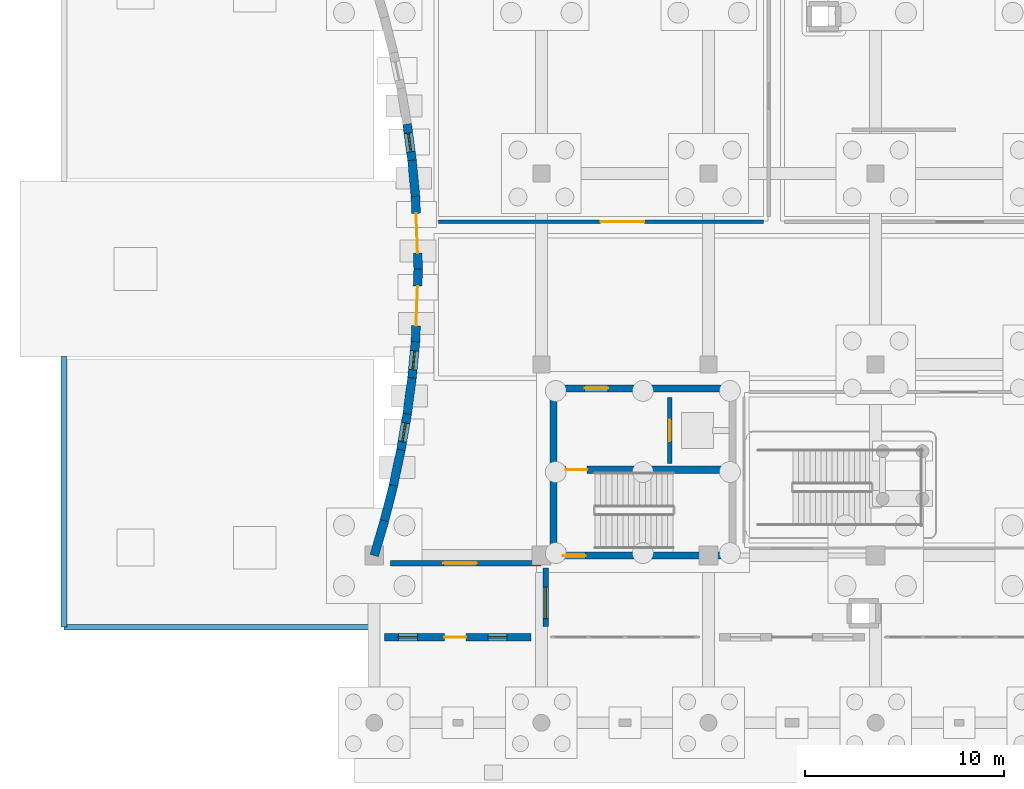
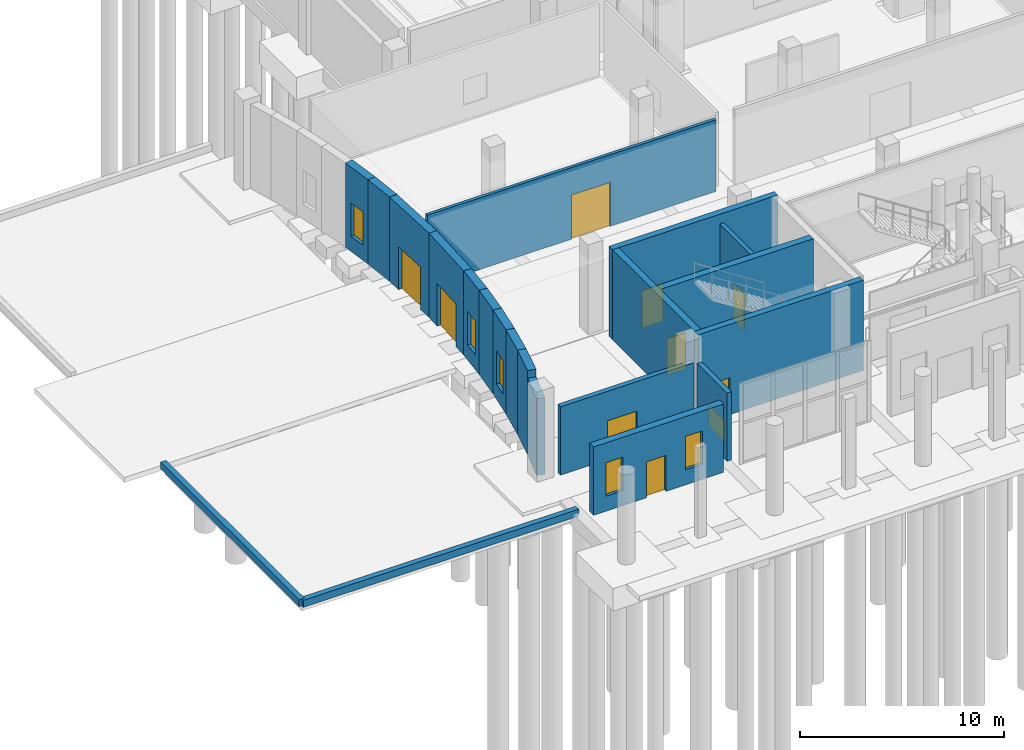
# One storey, part 38 of 65: 21 walls, 9 doors, 6 windows, 15 openings.
"""IFC4 building model written with IfcOpenShell, lengths in metres."""

import ifcopenshell
import ifcopenshell.guid

model = None  # the IFC model being written
_history = None  # IfcOwnerHistory: only IFC2X3 demands one
_inside = {}  # id of a spatial element -> (the spatial element, [elements in it])
_under = {}  # id of a project, library or spatial element -> (it, [spatial elements below it])
_declared = {}  # id of a project -> (the project, [libraries it declares])
_typed = {}  # id of a type object -> (the type object, [elements of that type])
_made_of = {}  # id of a material, layer set ... -> (it, [elements and type objects made of it])


def new_model(schema):
    """Start an empty IFC model of exactly this schema.

    Asked for "IFC4X3", IfcOpenShell would pick the latest addendum, in which some entities
    have other attributes; the version numbers below select the first issue.
    IFC2X3 requires an IfcOwnerHistory on every rooted entity: one is made here for all.
    """
    global model, _history
    if schema == "IFC4X3":
        model = ifcopenshell.file(schema_version=(4, 3, 0, 0))
    else:
        model = ifcopenshell.file(schema=schema)
    _inside.clear()
    _under.clear()
    _declared.clear()
    _typed.clear()
    _made_of.clear()
    _history = None
    if model.schema == "IFC2X3":
        org = make("IfcOrganization", Name="unknown")
        user = make(
            "IfcPersonAndOrganization",
            ThePerson=make("IfcPerson", FamilyName="unknown"),
            TheOrganization=org,
        )
        app = make(
            "IfcApplication",
            ApplicationDeveloper=org,
            Version="unknown",
            ApplicationFullName="unknown",
            ApplicationIdentifier="unknown",
        )
        _history = make(
            "IfcOwnerHistory",
            OwningUser=user,
            OwningApplication=app,
            ChangeAction="ADDED",
            CreationDate=0,
        )
    return model


def make(cls, **values):
    """One entity of the class cls with the attributes given. An attribute that is None is left unset."""
    return model.create_entity(
        cls, **{name: value for name, value in values.items() if value is not None}
    )


def rooted(cls, **values):
    """An entity with a GlobalId (a new one), such as an element, a storey or a relation."""
    return make(cls, GlobalId=ifcopenshell.guid.new(), OwnerHistory=_history, **values)


def si_unit(unit_type, name, prefix=None):
    """IfcSIUnit, for example si_unit("LENGTHUNIT", "METRE", prefix="MILLI")."""
    return make("IfcSIUnit", UnitType=unit_type, Prefix=prefix, Name=name)


def assignment(units):
    """IfcUnitAssignment: the units of a project."""
    return None if units is None else make("IfcUnitAssignment", Units=units)


def point(xyz):
    """IfcCartesianPoint."""
    return None if xyz is None else make("IfcCartesianPoint", Coordinates=xyz)


def direction(xyz):
    """IfcDirection."""
    return None if xyz is None else make("IfcDirection", DirectionRatios=xyz)


def frame(location, z_axis=None, x_axis=None):
    """IfcAxis2Placement3D, a coordinate frame: its origin and axes. An axis left out is left unset."""
    return make(
        "IfcAxis2Placement3D",
        Location=point(location),
        Axis=direction(z_axis),
        RefDirection=direction(x_axis),
    )


def frame_2d(location, x_axis=None):
    """IfcAxis2Placement2D, a coordinate frame in the plane: its origin and x axis."""
    return make(
        "IfcAxis2Placement2D", Location=point(location), RefDirection=direction(x_axis)
    )


def origin():
    """The frame at (0, 0, 0) with its axes left unset."""
    return frame((0.0, 0.0, 0.0))


def place(relative_to, where):
    """IfcLocalPlacement: puts the frame where relative to a parent placement (None: the world)."""
    return make(
        "IfcLocalPlacement", PlacementRelTo=relative_to, RelativePlacement=where
    )


def context(
    kind, dimensions, precision=None, world=None, true_north=None, identifier=None
):
    """IfcGeometricRepresentationContext, for example the 3D "Model" context."""
    return make(
        "IfcGeometricRepresentationContext",
        ContextIdentifier=identifier,
        ContextType=kind,
        CoordinateSpaceDimension=dimensions,
        Precision=precision,
        WorldCoordinateSystem=world,
        TrueNorth=true_north,
    )


def subcontext(parent, identifier, kind, view, scale=None):
    """IfcGeometricRepresentationSubContext, for example "Body" below "Model"."""
    return make(
        "IfcGeometricRepresentationSubContext",
        ContextIdentifier=identifier,
        ContextType=kind,
        ParentContext=parent,
        TargetScale=scale,
        TargetView=view,
    )


def project(units=None, contexts=None):
    """IfcProject with its units and contexts."""
    return rooted(
        "IfcProject",
        Name="project",
        RepresentationContexts=contexts,
        UnitsInContext=assignment(units),
    )


def spatial(cls, under=None, at=None, **own):
    """A site, building, storey or space (cls), placed at a placement, below another one or the project."""
    s = rooted(cls, ObjectPlacement=at, **own)
    if under is not None:
        _under.setdefault(under.id(), (under, []))[1].append(s)
    return s


def profile(cls, at=None, kind="AREA", **sizes):
    """A parametric profile (cls). Its sizes go by their IFC names, for example OverallWidth=200.0."""
    return make(cls, ProfileType=kind, Position=at, **sizes)


def rectangle(**sizes):
    """IfcRectangleProfileDef."""
    return profile("IfcRectangleProfileDef", **sizes)


def extrude(swept, where, along, depth):
    """IfcExtrudedAreaSolid: the profile swept, set in the frame where, extruded along a direction by depth."""
    return make(
        "IfcExtrudedAreaSolid",
        SweptArea=swept,
        Position=where,
        ExtrudedDirection=direction(along),
        Depth=depth,
    )


def shape(context_of_items, identifier, shape_type, items):
    """IfcShapeRepresentation: the items that make up one representation, for example the "Body"."""
    return make(
        "IfcShapeRepresentation",
        ContextOfItems=context_of_items,
        RepresentationIdentifier=identifier,
        RepresentationType=shape_type,
        Items=items,
    )


def material(Name=None, Category=None):
    """IfcMaterial."""
    return make("IfcMaterial", Name=Name, Category=Category)


def layer(
    of_material, thickness, ventilated=None, Name=None, Category=None, Priority=None
):
    """IfcMaterialLayer: one layer of a wall or slab, of a material (None: an air gap)."""
    return make(
        "IfcMaterialLayer",
        Material=of_material,
        LayerThickness=thickness,
        IsVentilated=ventilated,
        Name=Name,
        Category=Category,
        Priority=Priority,
    )


def layer_set(layers, Name=None):
    """IfcMaterialLayerSet."""
    return make("IfcMaterialLayerSet", MaterialLayers=layers, LayerSetName=Name)


def made_of(thing, what):
    """Note that an element or type object is made of a material, layer set ...; save() writes the relation."""
    if what is not None:
        _made_of.setdefault(what.id(), (what, []))[1].append(thing)
    return thing


def type_object(cls, material=None, **own):
    """A type object (cls), such as IfcWallType, which elements share."""
    return made_of(rooted(cls, **own), material)


def element(
    cls,
    number,
    at=None,
    inside=None,
    cuts=None,
    type_object=None,
    material=None,
    context=None,
    identifier="Body",
    shape_type=None,
    held_by="IfcProductDefinitionShape",
    body=None,
    shapes=None,
    **own,
):
    """One element of the class cls, such as IfcWall. Its Tag is "e" and its number.

    at: its placement. inside: the storey or other place that contains it. cuts: it is an
    opening in that element (IfcRelVoidsElement). A single representation is given by context,
    identifier, shape_type and body (its items); several are given by shapes. held_by: the class
    of the entity that holds the representations. save() writes the other relations.
    """
    e = rooted(cls, Tag="e%d" % number, ObjectPlacement=at, **own)
    if body is not None:
        shapes = [shape(context, identifier, shape_type, body)]
    if shapes is not None:
        e.Representation = make(held_by, Representations=shapes)
    if inside is not None:
        _inside.setdefault(inside.id(), (inside, []))[1].append(e)
    if cuts is not None:
        rooted(
            "IfcRelVoidsElement", RelatingBuildingElement=cuts, RelatedOpeningElement=e
        )
    if type_object is not None:
        _typed.setdefault(type_object.id(), (type_object, []))[1].append(e)
    return made_of(e, material)


def fill(opening, filler):
    """IfcRelFillsElement: the door or window that sits in an opening."""
    return rooted(
        "IfcRelFillsElement",
        RelatingOpeningElement=opening,
        RelatedBuildingElement=filler,
    )


def aggregate(whole, parts):
    """IfcRelAggregates: a whole, such as a stair, and the parts it consists of."""
    return rooted("IfcRelAggregates", RelatingObject=whole, RelatedObjects=parts)


def save(model, path):
    """Write the relations noted so far, then the file.

    IfcRelAggregates (storeys below a building ...), IfcRelContainedInSpatialStructure (elements
    in a storey), IfcRelDefinesByType, IfcRelAssociatesMaterial and IfcRelDeclares: one each for
    every whole, place, type object, material and project.
    """
    for whole, parts in _under.values():
        aggregate(whole, parts)
    for where, things in _inside.values():
        rooted(
            "IfcRelContainedInSpatialStructure",
            RelatedElements=things,
            RelatingStructure=where,
        )
    for kind, things in _typed.values():
        rooted("IfcRelDefinesByType", RelatedObjects=things, RelatingType=kind)
    for what, things in _made_of.values():
        rooted("IfcRelAssociatesMaterial", RelatedObjects=things, RelatingMaterial=what)
    for by, libraries in _declared.values():
        rooted("IfcRelDeclares", RelatingContext=by, RelatedDefinitions=libraries)
    model.write(path)


model = new_model("IFC4")

# Units and contexts
model_context = context("Model", 3, precision=1e-05, world=origin(), true_north=direction((0.0, 1.0)))
body_context = subcontext(model_context, "Body", "Model", "MODEL_VIEW")
ifc_project = project(units=[si_unit("LENGTHUNIT", "METRE"), si_unit("AREAUNIT", "SQUARE_METRE"), si_unit("VOLUMEUNIT", "CUBIC_METRE"), si_unit("PLANEANGLEUNIT", "RADIAN"), si_unit("MASSUNIT", "GRAM", prefix="KILO")], contexts=[model_context])

# Site, building, storey
site_placement = place(None, origin())
site = spatial("IfcSite", under=ifc_project, at=site_placement, CompositionType="ELEMENT")
building_placement = place(site_placement, origin())
building = spatial("IfcBuilding", under=site, at=building_placement, Name="Zulmaris Art Gallery", CompositionType="ELEMENT")
storey_placement = place(building_placement, origin())
storey = spatial("IfcBuildingStorey", under=building, at=storey_placement, Name="L00", CompositionType="ELEMENT", Elevation=0.0)

# Walls
ifc_material_1 = material(Name="Omani Cream Limestone Ashlar Masonry", Category="masonry")
ifc_layer_1 = layer(ifc_material_1, 0.43994140625)
ifc_layer_set_1 = layer_set([ifc_layer_1], Name="Omani Cream Limestone Ashlar Masonry")
wall_type_1 = type_object("IfcWallType", Name="ENV-WALL-EW01", PredefinedType="SOLIDWALL", material=ifc_layer_set_1)
wall_1_placement = place(storey_placement, frame((24.0, 21.60009765625, 0.0), z_axis=(0.0, 0.0, 1.0), x_axis=(0.281804764954, 0.959471768448, 0.0)))
element("IfcWall", 1, at=wall_1_placement, inside=storey, type_object=wall_type_1, Name="L00 Concave Scooped Limestone Chord 1", PredefinedType="SOLIDWALL", context=body_context, shape_type="SweptSolid", body=[
    extrude(rectangle(XDim=1.827880859375, YDim=0.43994140625, at=frame_2d((0.9140625, 0.0))), origin(), (0.0, 0.0, 1.0), 4.590087890625),
])
wall_2_placement = place(storey_placement, frame((24.51513671875, 23.35400390625, 0.0), z_axis=(0.0, 0.0, 1.0), x_axis=(0.245080262371, 0.969502792671, 0.0)))
element("IfcWall", 2, at=wall_2_placement, inside=storey, type_object=wall_type_1, Name="L00 Concave Scooped Limestone Chord 2", PredefinedType="SOLIDWALL", context=body_context, shape_type="SweptSolid", body=[
    extrude(rectangle(XDim=1.827880859375, YDim=0.43994140625, at=frame_2d((0.9140625, 0.0))), origin(), (0.0, 0.0, 1.0), 5.0400390625),
])
wall_3_placement = place(storey_placement, frame((24.963134765625, 25.126220703125, 0.0), z_axis=(0.0, 0.0, 1.0), x_axis=(0.207941813813, 0.978141197409, 0.0)))
element("IfcWall", 3, at=wall_3_placement, inside=storey, type_object=wall_type_1, Name="L00 Concave Scooped Limestone Chord 3", PredefinedType="SOLIDWALL", context=body_context, shape_type="SweptSolid", body=[
    extrude(rectangle(XDim=1.828125, YDim=0.43994140625, at=frame_2d((0.9140625, 0.0))), origin(), (0.0, 0.0, 1.0), 5.0400390625),
])

# Wall, opening, window
wall_4_placement = place(storey_placement, frame((25.34326171875, 26.914306640625, 0.0), z_axis=(0.0, 0.0, 1.0), x_axis=(0.170546420939, 0.985349642667, 0.0)))
wall_4 = element("IfcWall", 4, at=wall_4_placement, inside=storey, type_object=wall_type_1, Name="L00 Concave Scooped Limestone Chord 4", PredefinedType="SOLIDWALL", context=body_context, shape_type="SweptSolid", body=[
    extrude(rectangle(XDim=1.828125, YDim=0.43994140625, at=frame_2d((0.9140625, 0.0))), origin(), (0.0, 0.0, 1.0), 5.0400390625),
])
opening_1_placement = place(wall_4_placement, frame((0.419921875, 0.0, 0.89990234375)))
opening_1 = element("IfcOpeningElement", 5, at=opening_1_placement, cuts=wall_4, Name="Opening W06", PredefinedType="OPENING", context=body_context, shape_type="SweptSolid", body=[
    extrude(rectangle(XDim=0.949951171875, YDim=2.0, at=frame_2d((0.47509765625, 1.0))), frame((0.0, 0.22998046875, 0.0), z_axis=(0.0, -1.0, 0.0), x_axis=(1.0, 0.0, 0.0)), (0.0, 0.0, 1.0), 0.4599609375),
])
ifc_material_2 = material(Name="Art Deco Stepped-Head Pier Window", Category="glass")
window_type_1 = type_object("IfcWindowType", Name="WIN-W06", PartitioningType="SINGLE_PANEL", PredefinedType="WINDOW", material=ifc_material_2)
window_1_placement = place(opening_1_placement, origin())
window_1 = element("IfcWindow", 6, at=window_1_placement, inside=storey, type_object=window_type_1, Name="L00 exterior window W06", OverallHeight=2.0, OverallWidth=0.949951171875, PartitioningType="SINGLE_PANEL", PredefinedType="WINDOW", context=body_context, shape_type="SweptSolid", body=[
    extrude(rectangle(XDim=0.949951171875, YDim=2.0, at=frame_2d((0.47509765625, 1.0))), frame((0.0, 0.030029296875, 0.0), z_axis=(0.0, -1.0, 0.0), x_axis=(1.0, 0.0, 0.0)), (0.0, 0.0, 1.0), 0.06005859375),
])
fill(opening_1, window_1)

# Wall
wall_5_placement = place(storey_placement, frame((25.655029296875, 28.715576171875, 0.0), z_axis=(0.0, 0.0, 1.0), x_axis=(0.132872205914, 0.991133178183, 0.0)))
element("IfcWall", 7, at=wall_5_placement, inside=storey, type_object=wall_type_1, Name="L00 Concave Scooped Limestone Chord 5", PredefinedType="SOLIDWALL", context=body_context, shape_type="SweptSolid", body=[
    extrude(rectangle(XDim=1.828125, YDim=0.43994140625, at=frame_2d((0.9140625, 0.0))), origin(), (0.0, 0.0, 1.0), 5.0400390625),
])

# Wall, opening, window
wall_6_placement = place(storey_placement, frame((25.89794921875, 30.527587890625, 0.0), z_axis=(0.0, 0.0, 1.0), x_axis=(0.095099032001, 0.995467816714, 0.0)))
wall_6 = element("IfcWall", 8, at=wall_6_placement, inside=storey, type_object=wall_type_1, Name="L00 Concave Scooped Limestone Chord 6", PredefinedType="SOLIDWALL", context=body_context, shape_type="SweptSolid", body=[
    extrude(rectangle(XDim=1.827880859375, YDim=0.43994140625, at=frame_2d((0.9140625, 0.0))), origin(), (0.0, 0.0, 1.0), 5.0400390625),
])
opening_2_placement = place(wall_6_placement, frame((0.419921875, 0.0, 0.89990234375)))
opening_2 = element("IfcOpeningElement", 9, at=opening_2_placement, cuts=wall_6, Name="Opening W06", PredefinedType="OPENING", context=body_context, shape_type="SweptSolid", body=[
    extrude(rectangle(XDim=0.949951171875, YDim=2.0, at=frame_2d((0.47509765625, 1.0))), frame((0.0, 0.22998046875, 0.0), z_axis=(0.0, -1.0, 0.0), x_axis=(1.0, 0.0, 0.0)), (0.0, 0.0, 1.0), 0.4599609375),
])
window_2_placement = place(opening_2_placement, origin())
window_2 = element("IfcWindow", 10, at=window_2_placement, inside=storey, type_object=window_type_1, Name="L00 exterior window W06", OverallHeight=2.0, OverallWidth=0.949951171875, PartitioningType="SINGLE_PANEL", PredefinedType="WINDOW", context=body_context, shape_type="SweptSolid", body=[
    extrude(rectangle(XDim=0.949951171875, YDim=2.0, at=frame_2d((0.47509765625, 1.0))), frame((0.0, 0.030029296875, 0.0), z_axis=(0.0, -1.0, 0.0), x_axis=(1.0, 0.0, 0.0)), (0.0, 0.0, 1.0), 0.06005859375),
])
fill(opening_2, window_2)

# Wall, opening, door
wall_7_placement = place(storey_placement, frame((26.07177734375, 32.34716796875, 0.0), z_axis=(0.0, 0.0, 1.0), x_axis=(0.038068895643, 0.999275116864, 0.0)))
wall_7 = element("IfcWall", 11, at=wall_7_placement, inside=storey, type_object=wall_type_1, Name="L00 Scooped Limestone Entrance Portal S", PredefinedType="SOLIDWALL", context=body_context, shape_type="SweptSolid", body=[
    extrude(rectangle(XDim=3.655517578125, YDim=0.43994140625, at=frame_2d((1.82763671875, 0.0))), origin(), (0.0, 0.0, 1.0), 5.0400390625),
])
opening_3_placement = place(wall_7_placement, frame((0.800048828125, 0.0, 0.0)))
opening_3 = element("IfcOpeningElement", 12, at=opening_3_placement, cuts=wall_7, Name="Opening ED01", PredefinedType="OPENING", context=body_context, shape_type="SweptSolid", body=[
    extrude(rectangle(XDim=2.0, YDim=2.550048828125, at=frame_2d((1.0, 1.27490234375))), frame((0.0, 0.22998046875, 0.0), z_axis=(0.0, -1.0, 0.0), x_axis=(1.0, 0.0, 0.0)), (0.0, 0.0, 1.0), 0.4599609375),
])
ifc_material_3 = material(Name="Bronze-Framed Glazed Main Entrance Door", Category="glass")
door_type_1 = type_object("IfcDoorType", Name="EDOOR-ED01", OperationType="DOUBLE_SWING_LEFT", PredefinedType="DOOR", material=ifc_material_3)
door_1_placement = place(opening_3_placement, origin())
door_1 = element("IfcDoor", 13, at=door_1_placement, inside=storey, type_object=door_type_1, Name="Main Gallery West Portal Door 1", OperationType="DOUBLE_SWING_LEFT", OverallHeight=2.550048828125, OverallWidth=2.0, PredefinedType="DOOR", context=body_context, shape_type="SweptSolid", body=[
    extrude(rectangle(XDim=2.0, YDim=2.550048828125, at=frame_2d((1.0, 1.27490234375))), frame((0.0, 0.02490234375, 0.0), z_axis=(0.0, -1.0, 0.0), x_axis=(1.0, 0.0, 0.0)), (0.0, 0.0, 1.0), 0.050048828125),
])
fill(opening_3, door_1)

wall_8_placement = place(storey_placement, frame((26.2109375, 36.0, 0.0), z_axis=(0.0, 0.0, 1.0), x_axis=(-0.038068895643, 0.999275116864, 0.0)))
wall_8 = element("IfcWall", 14, at=wall_8_placement, inside=storey, type_object=wall_type_1, Name="L00 Scooped Limestone Entrance Portal N", PredefinedType="SOLIDWALL", context=body_context, shape_type="SweptSolid", body=[
    extrude(rectangle(XDim=3.655517578125, YDim=0.43994140625, at=frame_2d((1.82763671875, 0.0))), origin(), (0.0, 0.0, 1.0), 5.0400390625),
])
opening_4_placement = place(wall_8_placement, frame((0.800048828125, 0.0, 0.0)))
opening_4 = element("IfcOpeningElement", 15, at=opening_4_placement, cuts=wall_8, Name="Opening ED01", PredefinedType="OPENING", context=body_context, shape_type="SweptSolid", body=[
    extrude(rectangle(XDim=2.0, YDim=2.550048828125, at=frame_2d((1.0, 1.27490234375))), frame((0.0, 0.22998046875, 0.0), z_axis=(0.0, -1.0, 0.0), x_axis=(1.0, 0.0, 0.0)), (0.0, 0.0, 1.0), 0.4599609375),
])
door_2_placement = place(opening_4_placement, origin())
door_2 = element("IfcDoor", 16, at=door_2_placement, inside=storey, type_object=door_type_1, Name="Main Gallery West Portal Door 2", OperationType="DOUBLE_SWING_LEFT", OverallHeight=2.550048828125, OverallWidth=2.0, PredefinedType="DOOR", context=body_context, shape_type="SweptSolid", body=[
    extrude(rectangle(XDim=2.0, YDim=2.550048828125, at=frame_2d((1.0, 1.27490234375))), frame((0.0, 0.02490234375, 0.0), z_axis=(0.0, -1.0, 0.0), x_axis=(1.0, 0.0, 0.0)), (0.0, 0.0, 1.0), 0.050048828125),
])
fill(opening_4, door_2)

# Wall
wall_9_placement = place(storey_placement, frame((26.07177734375, 39.65283203125, 0.0), z_axis=(0.0, 0.0, 1.0), x_axis=(-0.095099032001, 0.995467816714, 0.0)))
element("IfcWall", 17, at=wall_9_placement, inside=storey, type_object=wall_type_1, Name="L00 Concave Scooped Limestone Chord 11", PredefinedType="SOLIDWALL", context=body_context, shape_type="SweptSolid", body=[
    extrude(rectangle(XDim=1.827880859375, YDim=0.43994140625, at=frame_2d((0.9140625, 0.0))), origin(), (0.0, 0.0, 1.0), 5.0400390625),
])

# Wall, opening, window
wall_10_placement = place(storey_placement, frame((25.89794921875, 41.472412109375, 0.0), z_axis=(0.0, 0.0, 1.0), x_axis=(-0.132872205914, 0.991133178183, 0.0)))
wall_10 = element("IfcWall", 18, at=wall_10_placement, inside=storey, type_object=wall_type_1, Name="L00 Concave Scooped Limestone Chord 12", PredefinedType="SOLIDWALL", context=body_context, shape_type="SweptSolid", body=[
    extrude(rectangle(XDim=1.828125, YDim=0.43994140625, at=frame_2d((0.9140625, 0.0))), origin(), (0.0, 0.0, 1.0), 5.0400390625),
])
opening_5_placement = place(wall_10_placement, frame((0.419921875, 0.0, 0.89990234375)))
opening_5 = element("IfcOpeningElement", 19, at=opening_5_placement, cuts=wall_10, Name="Opening W06", PredefinedType="OPENING", context=body_context, shape_type="SweptSolid", body=[
    extrude(rectangle(XDim=0.949951171875, YDim=2.0, at=frame_2d((0.47509765625, 1.0))), frame((0.0, 0.22998046875, 0.0), z_axis=(0.0, -1.0, 0.0), x_axis=(1.0, 0.0, 0.0)), (0.0, 0.0, 1.0), 0.4599609375),
])
window_3_placement = place(opening_5_placement, origin())
window_3 = element("IfcWindow", 20, at=window_3_placement, inside=storey, type_object=window_type_1, Name="L00 exterior window W06", OverallHeight=2.0, OverallWidth=0.949951171875, PartitioningType="SINGLE_PANEL", PredefinedType="WINDOW", context=body_context, shape_type="SweptSolid", body=[
    extrude(rectangle(XDim=0.949951171875, YDim=2.0, at=frame_2d((0.47509765625, 1.0))), frame((0.0, 0.030029296875, 0.0), z_axis=(0.0, -1.0, 0.0), x_axis=(1.0, 0.0, 0.0)), (0.0, 0.0, 1.0), 0.06005859375),
])
fill(opening_5, window_3)

# Wall, openings, door, windows
ifc_material_4 = material(Name="Omani Desert Rose Limestone Cladding Wall", Category="masonry")
ifc_layer_2 = layer(ifc_material_4, 0.389892578125)
ifc_layer_set_2 = layer_set([ifc_layer_2], Name="Omani Desert Rose Limestone Cladding Wall")
wall_type_2 = type_object("IfcWallType", Name="ENV-WALL-EW02", PredefinedType="SOLIDWALL", material=ifc_layer_set_2)
wall_11_placement = place(storey_placement, frame((24.52001953125, 17.5, 0.0), z_axis=(0.0, 0.0, 1.0), x_axis=(1.0, 0.0, 0.0)))
wall_11 = element("IfcWall", 21, at=wall_11_placement, inside=storey, type_object=wall_type_2, Name="L00 Fire Command Room Street Wall", PredefinedType="SOLIDWALL", context=body_context, shape_type="SweptSolid", body=[
    extrude(rectangle(XDim=7.35986328125, YDim=0.389892578125, at=frame_2d((3.679931640625, 0.0))), origin(), (0.0, 0.0, 1.0), 4.090087890625),
])
opening_6_placement = place(wall_11_placement, frame((0.699951171875, 0.0, 0.89990234375)))
opening_6 = element("IfcOpeningElement", 22, at=opening_6_placement, cuts=wall_11, Name="Opening W06", PredefinedType="OPENING", context=body_context, shape_type="SweptSolid", body=[
    extrude(rectangle(XDim=0.949951171875, YDim=2.0, at=frame_2d((0.47509765625, 1.0))), frame((0.0, 0.204833984375, 0.0), z_axis=(0.0, -1.0, 0.0), x_axis=(1.0, 0.0, 0.0)), (0.0, 0.0, 1.0), 0.409912109375),
])
opening_7_placement = place(wall_11_placement, frame((5.199951171875, 0.0, 0.89990234375)))
opening_7 = element("IfcOpeningElement", 23, at=opening_7_placement, cuts=wall_11, Name="Opening W06", PredefinedType="OPENING", context=body_context, shape_type="SweptSolid", body=[
    extrude(rectangle(XDim=0.949951171875, YDim=2.0, at=frame_2d((0.47509765625, 1.0))), frame((0.0, 0.204833984375, 0.0), z_axis=(0.0, -1.0, 0.0), x_axis=(1.0, 0.0, 0.0)), (0.0, 0.0, 1.0), 0.409912109375),
])
opening_8_placement = place(wall_11_placement, frame((3.0, 0.0, 0.0)))
opening_8 = element("IfcOpeningElement", 24, at=opening_8_placement, cuts=wall_11, Name="Opening ED03", PredefinedType="OPENING", context=body_context, shape_type="SweptSolid", body=[
    extrude(rectangle(XDim=1.10009765625, YDim=2.14990234375, at=frame_2d((0.550048828125, 1.074951171875))), frame((0.0, 0.204833984375, 0.0), z_axis=(0.0, -1.0, 0.0), x_axis=(1.0, 0.0, 0.0)), (0.0, 0.0, 1.0), 0.409912109375),
])
ifc_material_5 = material(Name="Exterior Service & Fire Command Door", Category="steel")
door_type_2 = type_object("IfcDoorType", Name="EDOOR-ED03", OperationType="SINGLE_SWING_LEFT", PredefinedType="DOOR", material=ifc_material_5)
door_3_placement = place(opening_8_placement, origin())
door_3 = element("IfcDoor", 25, at=door_3_placement, inside=storey, type_object=door_type_2, Name="Fire Command Room Direct Street Access Door", OperationType="SINGLE_SWING_LEFT", OverallHeight=2.14990234375, OverallWidth=1.10009765625, PredefinedType="DOOR", context=body_context, shape_type="SweptSolid", body=[
    extrude(rectangle(XDim=1.10009765625, YDim=2.14990234375, at=frame_2d((0.550048828125, 1.074951171875))), frame((0.0, 0.02490234375, 0.0), z_axis=(0.0, -1.0, 0.0), x_axis=(1.0, 0.0, 0.0)), (0.0, 0.0, 1.0), 0.050048828125),
])
fill(opening_8, door_3)
window_4_placement = place(opening_6_placement, origin())
window_4 = element("IfcWindow", 26, at=window_4_placement, inside=storey, type_object=window_type_1, Name="L00 exterior window W06", OverallHeight=2.0, OverallWidth=0.949951171875, PartitioningType="SINGLE_PANEL", PredefinedType="WINDOW", context=body_context, shape_type="SweptSolid", body=[
    extrude(rectangle(XDim=0.949951171875, YDim=2.0, at=frame_2d((0.47509765625, 1.0))), frame((0.0, 0.030029296875, 0.0), z_axis=(0.0, -1.0, 0.0), x_axis=(1.0, 0.0, 0.0)), (0.0, 0.0, 1.0), 0.06005859375),
])
fill(opening_6, window_4)
window_5_placement = place(opening_7_placement, origin())
window_5 = element("IfcWindow", 27, at=window_5_placement, inside=storey, type_object=window_type_1, Name="L00 exterior window W06", OverallHeight=2.0, OverallWidth=0.949951171875, PartitioningType="SINGLE_PANEL", PredefinedType="WINDOW", context=body_context, shape_type="SweptSolid", body=[
    extrude(rectangle(XDim=0.949951171875, YDim=2.0, at=frame_2d((0.47509765625, 1.0))), frame((0.0, 0.030029296875, 0.0), z_axis=(0.0, -1.0, 0.0), x_axis=(1.0, 0.0, 0.0)), (0.0, 0.0, 1.0), 0.06005859375),
])
fill(opening_7, window_5)

# Walls
ifc_material_6 = material(Name="Omani Limestone Pool Kerb", Category="masonry")
ifc_layer_3 = layer(ifc_material_6, 0.300048828125)
ifc_layer_set_3 = layer_set([ifc_layer_3], Name="Omani Limestone Pool Kerb")
wall_type_3 = type_object("IfcWallType", Name="ENV-WALL-PK01", PredefinedType="PARAPET", material=ifc_layer_set_3)
wall_12_placement = place(storey_placement, frame((8.39990234375, 18.0, -0.199951171875), z_axis=(0.0, 0.0, 1.0), x_axis=(1.0, 0.0, 0.0)))
element("IfcWall", 28, at=wall_12_placement, inside=storey, type_object=wall_type_3, Name="Reflecting pool limestone kerb 1", PredefinedType="PARAPET", context=body_context, shape_type="SweptSolid", body=[
    extrude(rectangle(XDim=15.60009765625, YDim=0.300048828125, at=frame_2d((7.800048828125, 0.0))), origin(), (0.0, 0.0, 1.0), 0.419921875),
])
wall_13_placement = place(storey_placement, frame((8.39990234375, 18.0, -0.199951171875), z_axis=(0.0, 0.0, 1.0), x_axis=(0.0, 1.0, 0.0)))
element("IfcWall", 29, at=wall_13_placement, inside=storey, type_object=wall_type_3, Name="Reflecting pool limestone kerb 2", PredefinedType="PARAPET", context=body_context, shape_type="SweptSolid", body=[
    extrude(rectangle(XDim=13.60009765625, YDim=0.300048828125, at=frame_2d((6.800048828125, 0.0))), origin(), (0.0, 0.0, 1.0), 0.419921875),
])

# Wall, opening, door
ifc_material_7 = material(Name="Acoustic Studio Separation Partition", Category="gypsum")
ifc_layer_4 = layer(ifc_material_7, 0.175048828125)
ifc_layer_set_4 = layer_set([ifc_layer_4], Name="Acoustic Studio Separation Partition")
wall_type_4 = type_object("IfcWallType", Name="IWALL-PW06", PredefinedType="PARTITIONING", material=ifc_layer_set_4)
wall_14_placement = place(storey_placement, frame((27.22998046875, 38.3798828125, 0.0), z_axis=(0.0, 0.0, 1.0), x_axis=(1.0, 0.0, 0.0)))
wall_14 = element("IfcWall", 30, at=wall_14_placement, inside=storey, type_object=wall_type_4, Name="Cloakroom & Visitor Orientation S partition", PredefinedType="PARTITIONING", context=body_context, shape_type="SweptSolid", body=[
    extrude(rectangle(XDim=16.340087890625, YDim=0.175048828125, at=frame_2d((8.169921875, 0.0))), origin(), (0.0, 0.0, 1.0), 4.2900390625),
])
opening_9_placement = place(wall_14_placement, frame((8.14990234375, 0.0, 0.0)))
opening_9 = element("IfcOpeningElement", 31, at=opening_9_placement, cuts=wall_14, Name="Opening D19", PredefinedType="OPENING", context=body_context, shape_type="SweptSolid", body=[
    extrude(rectangle(XDim=2.199951171875, YDim=2.639892578125, at=frame_2d((1.10009765625, 1.31982421875))), frame((0.0, 0.097412109375, 0.0), z_axis=(0.0, -1.0, 0.0), x_axis=(1.0, 0.0, 0.0)), (0.0, 0.0, 1.0), 0.195068359375),
])
ifc_material_8 = material(Name="Crate Unpacking Double Portal Door", Category="steel")
door_type_3 = type_object("IfcDoorType", Name="IDOOR-D19", OperationType="DOUBLE_SWING_LEFT", PredefinedType="DOOR", material=ifc_material_8)
door_4_placement = place(opening_9_placement, origin())
door_4 = element("IfcDoor", 32, at=door_4_placement, inside=storey, type_object=door_type_3, Name="Cloakroom & Visitor Orientation Door", OperationType="DOUBLE_SWING_LEFT", OverallHeight=2.639892578125, OverallWidth=2.199951171875, PredefinedType="DOOR", context=body_context, shape_type="SweptSolid", body=[
    extrude(rectangle(XDim=2.199951171875, YDim=2.639892578125, at=frame_2d((1.10009765625, 1.31982421875))), frame((0.0, 0.02490234375, 0.0), z_axis=(0.0, -1.0, 0.0), x_axis=(1.0, 0.0, 0.0)), (0.0, 0.0, 1.0), 0.050048828125),
])
fill(opening_9, door_4)

ifc_material_9 = material(Name="Core Lobby Fire-Resisting Masonry Wall", Category="masonry")
ifc_layer_5 = layer(ifc_material_9, 0.235107421875)
ifc_layer_set_5 = layer_set([ifc_layer_5], Name="Core Lobby Fire-Resisting Masonry Wall")
wall_type_5 = type_object("IfcWallType", Name="IWALL-PW10", PredefinedType="PARTITIONING", material=ifc_layer_set_5)
wall_15_placement = place(storey_placement, frame((38.85009765625, 26.219970703125, 0.0), z_axis=(0.0, 0.0, 1.0), x_axis=(0.0, 1.0, 0.0)))
wall_15 = element("IfcWall", 33, at=wall_15_placement, inside=storey, type_object=wall_type_5, Name="LF-P1 L00 lift shaft front wall", PredefinedType="PARTITIONING", context=body_context, shape_type="SweptSolid", body=[
    extrude(rectangle(XDim=3.330078125, YDim=0.235107421875, at=frame_2d((1.6650390625, 0.0))), origin(), (0.0, 0.0, 1.0), 5.0400390625),
])
opening_10_placement = place(wall_15_placement, frame((1.114990234375, 0.0, 0.0)))
opening_10 = element("IfcOpeningElement", 34, at=opening_10_placement, cuts=wall_15, Name="Opening LD01", PredefinedType="OPENING", context=body_context, shape_type="SweptSolid", body=[
    extrude(rectangle(XDim=1.10009765625, YDim=2.199951171875, at=frame_2d((0.550048828125, 1.10009765625))), frame((0.0, 0.12744140625, 0.0), z_axis=(0.0, -1.0, 0.0), x_axis=(1.0, 0.0, 0.0)), (0.0, 0.0, 1.0), 0.255126953125),
])
ifc_material_10 = material(Name="Passenger Lift Sliding Landing Door", Category="steel")
door_type_4 = type_object("IfcDoorType", Name="IDOOR-LD01", OperationType="SLIDING_TO_LEFT", PredefinedType="DOOR", material=ifc_material_10)
door_5_placement = place(opening_10_placement, origin())
door_5 = element("IfcDoor", 35, at=door_5_placement, inside=storey, type_object=door_type_4, Name="LF-P1 L00 Lift Landing Sliding Door", OperationType="SLIDING_TO_LEFT", OverallHeight=2.199951171875, OverallWidth=1.10009765625, PredefinedType="DOOR", context=body_context, shape_type="SweptSolid", body=[
    extrude(rectangle(XDim=1.10009765625, YDim=2.199951171875, at=frame_2d((0.550048828125, 1.10009765625))), frame((0.0, 0.02490234375, 0.0), z_axis=(0.0, -1.0, 0.0), x_axis=(1.0, 0.0, 0.0)), (0.0, 0.0, 1.0), 0.050048828125),
])
fill(opening_10, door_5)

ifc_material_11 = material(Name="Plant & Substation Acoustic Blockwork Wall", Category="masonry")
ifc_layer_6 = layer(ifc_material_11, 0.27001953125)
ifc_layer_set_6 = layer_set([ifc_layer_6], Name="Plant & Substation Acoustic Blockwork Wall")
wall_type_6 = type_object("IfcWallType", Name="IWALL-PW12", PredefinedType="PARTITIONING", material=ifc_layer_set_6)
wall_16_placement = place(storey_placement, frame((24.830078125, 21.219970703125, 0.0), z_axis=(0.0, 0.0, 1.0), x_axis=(1.0, 0.0, 0.0)))
wall_16 = element("IfcWall", 36, at=wall_16_placement, inside=storey, type_object=wall_type_6, Name="Fire Command Room N partition", PredefinedType="PARTITIONING", context=body_context, shape_type="SweptSolid", body=[
    extrude(rectangle(XDim=7.5400390625, YDim=0.27001953125, at=frame_2d((3.77001953125, 0.0))), origin(), (0.0, 0.0, 1.0), 4.090087890625),
])
opening_11_placement = place(wall_16_placement, frame((2.64990234375, 0.0, 0.0)))
opening_11 = element("IfcOpeningElement", 37, at=opening_11_placement, cuts=wall_16, Name="Opening D14", PredefinedType="OPENING", context=body_context, shape_type="SweptSolid", body=[
    extrude(rectangle(XDim=1.679931640625, YDim=2.320068359375, at=frame_2d((0.83984375, 1.16015625))), frame((0.0, 0.14501953125, 0.0), z_axis=(0.0, -1.0, 0.0), x_axis=(1.0, 0.0, 0.0)), (0.0, 0.0, 1.0), 0.2900390625),
])
ifc_material_12 = material(Name="Plant Room Double Access Door", Category="steel")
door_type_5 = type_object("IfcDoorType", Name="IDOOR-D14", OperationType="DOUBLE_SWING_RIGHT", PredefinedType="DOOR", material=ifc_material_12)
door_6_placement = place(opening_11_placement, origin())
door_6 = element("IfcDoor", 38, at=door_6_placement, inside=storey, type_object=door_type_5, Name="Fire Command Room Door", OperationType="DOUBLE_SWING_RIGHT", OverallHeight=2.320068359375, OverallWidth=1.679931640625, PredefinedType="DOOR", context=body_context, shape_type="SweptSolid", body=[
    extrude(rectangle(XDim=1.679931640625, YDim=2.320068359375, at=frame_2d((0.83984375, 1.16015625))), frame((0.0, 0.02490234375, 0.0), z_axis=(0.0, -1.0, 0.0), x_axis=(1.0, 0.0, 0.0)), (0.0, 0.0, 1.0), 0.050048828125),
])
fill(opening_11, door_6)

# Wall, opening, window
wall_17_placement = place(storey_placement, frame((32.6201171875, 18.030029296875, 0.0), z_axis=(0.0, 0.0, 1.0), x_axis=(0.0, 1.0, 0.0)))
wall_17 = element("IfcWall", 39, at=wall_17_placement, inside=storey, type_object=wall_type_6, Name="Fire Command Room E partition", PredefinedType="PARTITIONING", context=body_context, shape_type="SweptSolid", body=[
    extrude(rectangle(XDim=2.93994140625, YDim=0.27001953125, at=frame_2d((1.469970703125, 0.0))), origin(), (0.0, 0.0, 1.0), 4.090087890625),
])
opening_12_placement = place(wall_17_placement, frame((0.39990234375, 0.0, 0.89990234375)))
opening_12 = element("IfcOpeningElement", 40, at=opening_12_placement, cuts=wall_17, Name="Opening IW09", PredefinedType="OPENING", context=body_context, shape_type="SweptSolid", body=[
    extrude(rectangle(XDim=1.580078125, YDim=1.239990234375, at=frame_2d((0.7900390625, 0.6201171875))), frame((0.0, 0.14501953125, 0.0), z_axis=(0.0, -1.0, 0.0), x_axis=(1.0, 0.0, 0.0)), (0.0, 0.0, 1.0), 0.2900390625),
])
ifc_material_13 = material(Name="Registrar Inspection Glazing", Category="glass")
window_type_2 = type_object("IfcWindowType", Name="IWIN-IW09", PartitioningType="SINGLE_PANEL", PredefinedType="WINDOW", material=ifc_material_13)
window_6_placement = place(opening_12_placement, origin())
window_6 = element("IfcWindow", 41, at=window_6_placement, inside=storey, type_object=window_type_2, Name="L00 interior observation window IW09", OverallHeight=1.239990234375, OverallWidth=1.580078125, PartitioningType="SINGLE_PANEL", PredefinedType="WINDOW", context=body_context, shape_type="SweptSolid", body=[
    extrude(rectangle(XDim=1.580078125, YDim=1.239990234375, at=frame_2d((0.7900390625, 0.6201171875))), frame((0.0, 0.030029296875, 0.0), z_axis=(0.0, -1.0, 0.0), x_axis=(1.0, 0.0, 0.0)), (0.0, 0.0, 1.0), 0.06005859375),
])
fill(opening_12, window_6)

# Wall, opening, door
ifc_material_14 = material(Name="Concrete C50/60", Category="concrete")
ifc_layer_7 = layer(ifc_material_14, 0.35009765625)
ifc_layer_set_7 = layer_set([ifc_layer_7], Name="Concrete C50/60")
wall_type_7 = type_object("IfcWallType", Name="STR-WALL-SW01", PredefinedType="SHEAR", material=ifc_layer_set_7)
wall_18_placement = place(storey_placement, frame((32.824951171875, 21.60009765625, 0.0), z_axis=(0.0, 0.0, 1.0), x_axis=(1.0, 0.0, 0.0)))
wall_18 = element("IfcWall", 42, at=wall_18_placement, inside=storey, type_object=wall_type_7, Name="Core C1 L00 S shear wall", PredefinedType="SHEAR", context=body_context, shape_type="SweptSolid", body=[
    extrude(rectangle(XDim=9.35009765625, YDim=0.35009765625, at=frame_2d((4.675048828125, 0.0))), origin(), (0.0, 0.0, 1.0), 5.39990234375),
])
opening_13_placement = place(wall_18_placement, frame((0.64990234375, 0.0, 0.0)))
opening_13 = element("IfcOpeningElement", 43, at=opening_13_placement, cuts=wall_18, Name="Opening ED02", PredefinedType="OPENING", context=body_context, shape_type="SweptSolid", body=[
    extrude(rectangle(XDim=1.14990234375, YDim=2.199951171875, at=frame_2d((0.574951171875, 1.10009765625))), frame((0.0, 0.18505859375, 0.0), z_axis=(0.0, -1.0, 0.0), x_axis=(1.0, 0.0, 0.0)), (0.0, 0.0, 1.0), 0.3701171875),
])
ifc_material_15 = material(Name="Fire Exit Discharge Door", Category="steel")
door_type_6 = type_object("IfcDoorType", Name="EDOOR-ED02", OperationType="SINGLE_SWING_LEFT", PredefinedType="DOOR", material=ifc_material_15)
door_7_placement = place(opening_13_placement, origin())
door_7 = element("IfcDoor", 44, at=door_7_placement, inside=storey, type_object=door_type_6, Name="Core C1 ST1 Ground Exit Discharge Door", OperationType="SINGLE_SWING_LEFT", OverallHeight=2.199951171875, OverallWidth=1.14990234375, PredefinedType="DOOR", context=body_context, shape_type="SweptSolid", body=[
    extrude(rectangle(XDim=1.14990234375, YDim=2.199951171875, at=frame_2d((0.574951171875, 1.10009765625))), frame((0.0, 0.02490234375, 0.0), z_axis=(0.0, -1.0, 0.0), x_axis=(1.0, 0.0, 0.0)), (0.0, 0.0, 1.0), 0.050048828125),
])
fill(opening_13, door_7)

wall_19_placement = place(storey_placement, frame((32.824951171875, 30.0, 0.0), z_axis=(0.0, 0.0, 1.0), x_axis=(1.0, 0.0, 0.0)))
wall_19 = element("IfcWall", 45, at=wall_19_placement, inside=storey, type_object=wall_type_7, Name="Core C1 L00 N shear wall", PredefinedType="SHEAR", context=body_context, shape_type="SweptSolid", body=[
    extrude(rectangle(XDim=9.35009765625, YDim=0.35009765625, at=frame_2d((4.675048828125, 0.0))), origin(), (0.0, 0.0, 1.0), 5.39990234375),
])
opening_14_placement = place(wall_19_placement, frame((1.75, 0.0, 0.0)))
opening_14 = element("IfcOpeningElement", 46, at=opening_14_placement, cuts=wall_19, Name="Opening D08", PredefinedType="OPENING", context=body_context, shape_type="SweptSolid", body=[
    extrude(rectangle(XDim=1.179931640625, YDim=2.239990234375, at=frame_2d((0.58984375, 1.1201171875))), frame((0.0, 0.18505859375, 0.0), z_axis=(0.0, -1.0, 0.0), x_axis=(1.0, 0.0, 0.0)), (0.0, 0.0, 1.0), 0.3701171875),
])
ifc_material_16 = material(Name="Firefighting Lobby Compartment Door", Category="steel")
door_type_7 = type_object("IfcDoorType", Name="IDOOR-D08", OperationType="NOTDEFINED", PredefinedType="DOOR", material=ifc_material_16)
door_8_placement = place(opening_14_placement, origin())
door_8 = element("IfcDoor", 47, at=door_8_placement, inside=storey, type_object=door_type_7, Name="Core C1 L00 Lobby Compartment Door", OperationType="SINGLE_SWING_RIGHT", OverallHeight=2.239990234375, OverallWidth=1.179931640625, PredefinedType="DOOR", context=body_context, shape_type="SweptSolid", body=[
    extrude(rectangle(XDim=1.179931640625, YDim=2.239990234375, at=frame_2d((0.58984375, 1.1201171875))), frame((0.0, 0.02490234375, 0.0), z_axis=(0.0, -1.0, 0.0), x_axis=(1.0, 0.0, 0.0)), (0.0, 0.0, 1.0), 0.050048828125),
])
fill(opening_14, door_8)

# Wall
wall_20_placement = place(storey_placement, frame((33.0, 21.77490234375, 0.0), z_axis=(0.0, 0.0, 1.0), x_axis=(0.0, 1.0, 0.0)))
element("IfcWall", 48, at=wall_20_placement, inside=storey, type_object=wall_type_7, Name="Core C1 L00 W shear wall", PredefinedType="SHEAR", context=body_context, shape_type="SweptSolid", body=[
    extrude(rectangle(XDim=8.050048828125, YDim=0.35009765625, at=frame_2d((4.02490234375, 0.0))), origin(), (0.0, 0.0, 1.0), 5.39990234375),
])

# Wall, opening, door
ifc_layer_8 = layer(ifc_material_14, 0.3798828125)
ifc_layer_set_8 = layer_set([ifc_layer_8], Name="Concrete C50/60")
wall_type_8 = type_object("IfcWallType", Name="STR-WALL-SW02", PredefinedType="SHEAR", material=ifc_layer_set_8)
wall_21_placement = place(storey_placement, frame((33.175048828125, 25.909912109375, 0.0), z_axis=(0.0, 0.0, 1.0), x_axis=(1.0, 0.0, 0.0)))
wall_21 = element("IfcWall", 49, at=wall_21_placement, inside=storey, type_object=wall_type_8, Name="Core C1 L00 DIV shear wall", PredefinedType="SHEAR", context=body_context, shape_type="SweptSolid", body=[
    extrude(rectangle(XDim=8.64990234375, YDim=0.3798828125, at=frame_2d((4.324951171875, 0.0))), origin(), (0.0, 0.0, 1.0), 5.39990234375),
])
opening_15_placement = place(wall_21_placement, frame((0.449951171875, 0.0, 0.0)))
opening_15 = element("IfcOpeningElement", 50, at=opening_15_placement, cuts=wall_21, Name="Opening D07", PredefinedType="OPENING", context=body_context, shape_type="SweptSolid", body=[
    extrude(rectangle(XDim=1.080078125, YDim=2.179931640625, at=frame_2d((0.5400390625, 1.08984375))), frame((0.0, 0.199951171875, 0.0), z_axis=(0.0, -1.0, 0.0), x_axis=(1.0, 0.0, 0.0)), (0.0, 0.0, 1.0), 0.39990234375),
])
ifc_material_17 = material(Name="Stairwell Fire Escape Door", Category="steel")
door_type_8 = type_object("IfcDoorType", Name="IDOOR-D07", OperationType="NOTDEFINED", PredefinedType="DOOR", material=ifc_material_17)
door_9_placement = place(opening_15_placement, origin())
door_9 = element("IfcDoor", 51, at=door_9_placement, inside=storey, type_object=door_type_8, Name="Core C1 L00 Stair ST1 Fire Door", OperationType="SINGLE_SWING_LEFT", OverallHeight=2.179931640625, OverallWidth=1.080078125, PredefinedType="DOOR", context=body_context, shape_type="SweptSolid", body=[
    extrude(rectangle(XDim=1.080078125, YDim=2.179931640625, at=frame_2d((0.5400390625, 1.08984375))), frame((0.0, 0.02490234375, 0.0), z_axis=(0.0, -1.0, 0.0), x_axis=(1.0, 0.0, 0.0)), (0.0, 0.0, 1.0), 0.050048828125),
])
fill(opening_15, door_9)

save(model, "model.ifc")
